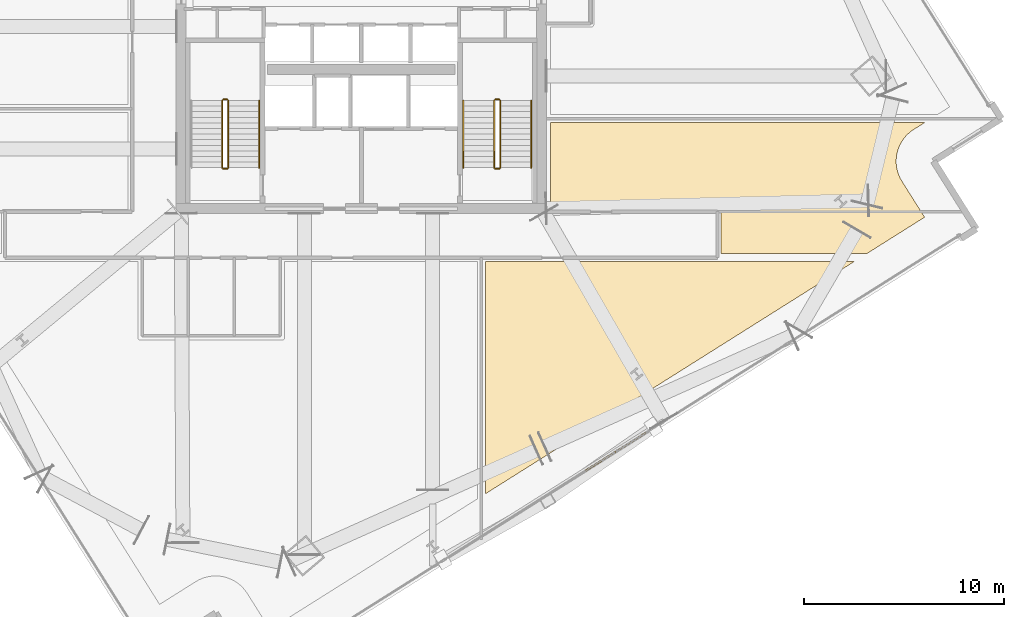
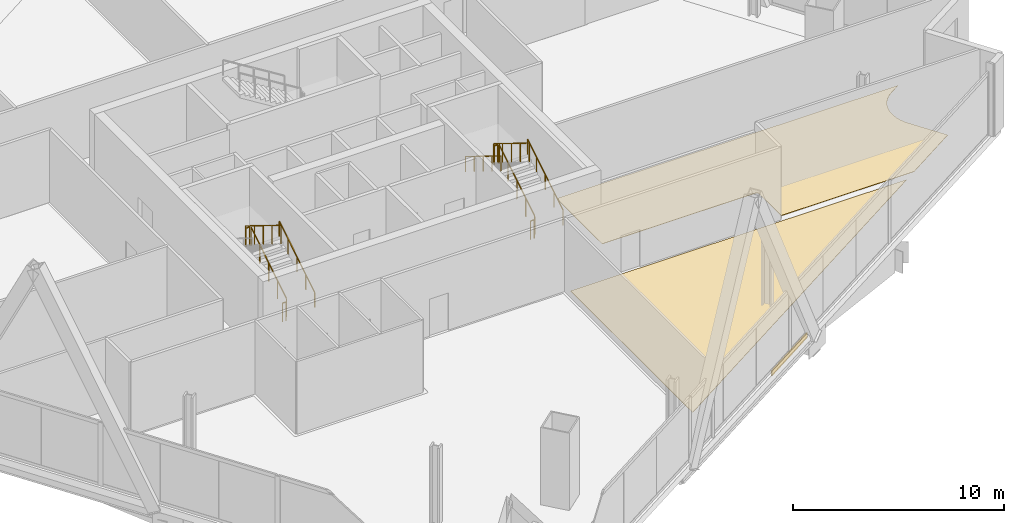
# One storey, part 26 of 29: 11 railings, 3 coverings.
"""IFC4 building model written with IfcOpenShell, lengths in metres."""

from ifc_helpers import new_model, si_unit, direction, frame, origin, origin_2d, place, context, subcontext, project, spatial, polyline, rectangle, outline, extrude, source, transform, mapped, material, layer, layer_set, type_object, element, save


model = new_model("IFC4")

# Units and contexts
model_context = context("Model", 3, precision=1e-05, world=origin(), true_north=direction((0.0, 1.0)))
body_context = subcontext(model_context, "Body", "Model", "MODEL_VIEW")
ifc_project = project(units=[si_unit("LENGTHUNIT", "METRE"), si_unit("AREAUNIT", "SQUARE_METRE"), si_unit("VOLUMEUNIT", "CUBIC_METRE"), si_unit("PLANEANGLEUNIT", "RADIAN"), si_unit("MASSUNIT", "GRAM", prefix="KILO")], contexts=[model_context])

# Site, building, storey
site_placement = place(None, origin())
site = spatial("IfcSite", under=ifc_project, at=site_placement, CompositionType="ELEMENT")
building_placement = place(site_placement, origin())
building = spatial("IfcBuilding", under=site, at=building_placement, Name="Haldenkirk Collegiate Tower", CompositionType="ELEMENT")
storey_placement = place(building_placement, frame((0.0, 0.0, 136.199951171875)))
storey = spatial("IfcBuildingStorey", under=building, at=storey_placement, Name="L33", CompositionType="ELEMENT", Elevation=136.199951171875)

# Coverings
ifc_material_1 = material(Name="Polished collegiate terrazzo", Category="concrete")
ifc_layer_1 = layer(ifc_material_1, 0.02490234375)
ifc_layer_set_1 = layer_set([ifc_layer_1], Name="Polished collegiate terrazzo")
covering_type_1 = type_object("IfcCoveringType", Name="COV-FLOOR-TERRAZZO", PredefinedType="FLOORING", material=ifc_layer_set_1)
covering_1_placement = place(storey_placement, origin())
element("IfcCovering", 1, at=covering_1_placement, inside=storey, type_object=covering_type_1, Name="L33 academic room finish 02", PredefinedType="FLOORING", context=body_context, shape_type="SweptSolid", body=[
    extrude(outline(polyline([(42.199951171875, 3.751953125), (42.199951171875, 15.35009765625), (60.617431640625, 15.35009765625), (42.199951171875, 3.751953125)])), origin(), (0.0, 0.0, 1.0), 0.025146484375),
])
ifc_material_2 = material(Name="Engineered collegiate oak acoustic flooring", Category="wood")
ifc_layer_2 = layer(ifc_material_2, 0.02197265625)
ifc_layer_set_2 = layer_set([ifc_layer_2], Name="Engineered collegiate oak acoustic flooring")
covering_type_2 = type_object("IfcCoveringType", Name="COV-FLOOR-TIMBER", PredefinedType="FLOORING", material=ifc_layer_set_2)
covering_2_placement = place(storey_placement, origin())
element("IfcCovering", 2, at=covering_2_placement, inside=storey, type_object=covering_type_2, Name="L33 academic room finish 09", PredefinedType="FLOORING", context=body_context, shape_type="SweptSolid", body=[
    extrude(outline(polyline([(63.600341796875, 21.955322265625), (63.595458984375, 21.9521484375), (63.454833984375, 21.853759765625), (63.445556640625, 21.846435546875), (63.315185546875, 21.734619140625), (63.306640625, 21.7265625), (63.18798828125, 21.602294921875), (63.18017578125, 21.593505859375), (63.07421875, 21.45849609375), (63.0673828125, 21.448974609375), (62.97509765625, 21.303955078125), (62.96923828125, 21.293701171875), (62.8916015625, 21.140380859375), (62.88671875, 21.1298828125), (62.82470703125, 20.9697265625), (62.82080078125, 20.95849609375), (62.774658203125, 20.793212890625), (62.772216796875, 20.781494140625), (62.7421875, 20.612548828125), (62.74072265625, 20.600830078125), (62.727783203125, 20.4296875), (62.727294921875, 20.417724609375), (62.731201171875, 20.24609375), (62.732177734375, 20.234375), (62.752685546875, 20.06396484375), (62.754638671875, 20.05224609375), (62.791748046875, 19.884521484375), (62.794921875, 19.873291015625), (62.848388671875, 19.7099609375), (62.852783203125, 19.69921875), (62.921875, 19.5419921875), (62.92724609375, 19.53125), (63.011474609375, 19.381591796875), (63.014404296875, 19.376708984375), (64.1494140625, 17.57421875), (61.252685546875, 15.75), (53.969970703125, 15.75), (53.969970703125, 17.85009765625), (53.969482421875, 17.86181640625), (53.9677734375, 17.873291015625), (53.96484375, 17.884765625), (53.9609375, 17.89599609375), (53.955810546875, 17.906494140625), (53.94970703125, 17.916748046875), (53.94287109375, 17.926025390625), (53.934814453125, 17.934814453125), (53.926025390625, 17.94287109375), (53.916748046875, 17.94970703125), (53.906494140625, 17.955810546875), (53.89599609375, 17.9609375), (53.884765625, 17.96484375), (53.873291015625, 17.9677734375), (53.86181640625, 17.969482421875), (53.85009765625, 17.969970703125), (45.449951171875, 17.969970703125), (45.449951171875, 22.300048828125), (64.1474609375, 22.300048828125), (63.600341796875, 21.955322265625)])), origin(), (0.0, 0.0, 1.0), 0.02197265625),
])

# Railings
ifc_material_3 = material(Name="Painted architectural tubular steel", Category="steel")
railing_type_1 = type_object("IfcRailingType", Name="RLG-STAIR-GUARD-1100", PredefinedType="BALUSTRADE", material=ifc_material_3)
railing_1_placement = place(storey_placement, frame((29.35009765625, 20.050048828125, 0.173095703125)))
element("IfcRailing", 3, at=railing_1_placement, inside=storey, type_object=railing_type_1, Name="L33 ST-1 stair guard 1", PredefinedType="BALUSTRADE", context=body_context, shape_type="SweptSolid", body=[
    extrude(rectangle(XDim=0.048095703125, YDim=0.048095703125, at=origin_2d()), frame((0.0, 0.0, 1.076171875), z_axis=(0.0, 0.850606129759, 0.525803396734), x_axis=(-1.0, 0.0, 0.0)), (0.0, 0.0, 1.0), 3.949951171875),
    extrude(rectangle(XDim=0.0419921875, YDim=0.0419921875, at=origin_2d()), origin(), (0.0, 0.0, 1.0), 1.052001953125),
    extrude(rectangle(XDim=0.0419921875, YDim=0.0419921875, at=origin_2d()), frame((0.0, 0.83984375, 0.519287109375)), (0.0, 0.0, 1.0), 1.052001953125),
    extrude(rectangle(XDim=0.0419921875, YDim=0.0419921875, at=origin_2d()), frame((0.0, 1.679931640625, 1.03857421875)), (0.0, 0.0, 1.0), 1.052001953125),
    extrude(rectangle(XDim=0.0419921875, YDim=0.0419921875, at=origin_2d()), frame((0.0, 2.52001953125, 1.5576171875)), (0.0, 0.0, 1.0), 1.052001953125),
    extrude(rectangle(XDim=0.0419921875, YDim=0.0419921875, at=origin_2d()), frame((0.0, 3.35986328125, 2.076904296875)), (0.0, 0.0, 1.0), 1.052001953125),
])
railing_2_placement = place(storey_placement, frame((29.300048828125, 23.4599609375, 2.25)))
element("IfcRailing", 4, at=railing_2_placement, inside=storey, type_object=railing_type_1, Name="L33 ST-1 stair guard 2", PredefinedType="BALUSTRADE", context=body_context, shape_type="SweptSolid", body=[
    extrude(rectangle(XDim=0.048095703125, YDim=0.048095703125, at=origin_2d()), frame((0.0, 0.0, 1.076171875), z_axis=(-1.0, 0.0, 0.0), x_axis=(0.0, -1.0, 0.0)), (0.0, 0.0, 1.0), 0.199951171875),
    extrude(rectangle(XDim=0.0419921875, YDim=0.0419921875, at=origin_2d()), origin(), (0.0, 0.0, 1.0), 1.052001953125),
    extrude(rectangle(XDim=0.0419921875, YDim=0.0419921875, at=origin_2d()), frame((-0.199951171875, 0.0, 0.0)), (0.0, 0.0, 1.0), 1.052001953125),
])
railing_3_placement = place(storey_placement, frame((29.050048828125, 23.409912109375, 2.423095703125)))
element("IfcRailing", 5, at=railing_3_placement, inside=storey, type_object=railing_type_1, Name="L33 ST-1 stair guard 3", PredefinedType="BALUSTRADE", context=body_context, shape_type="SweptSolid", body=[
    extrude(rectangle(XDim=0.048095703125, YDim=0.048095703125, at=origin_2d()), frame((0.0, 0.0, 1.076171875), z_axis=(0.0, -0.850606129759, 0.525803396734), x_axis=(1.0, 0.0, 0.0)), (0.0, 0.0, 1.0), 3.949951171875),
    extrude(rectangle(XDim=0.0419921875, YDim=0.0419921875, at=origin_2d()), origin(), (0.0, 0.0, 1.0), 1.052001953125),
    extrude(rectangle(XDim=0.0419921875, YDim=0.0419921875, at=origin_2d()), frame((0.0, -0.83984375, 0.519287109375)), (0.0, 0.0, 1.0), 1.052001953125),
    extrude(rectangle(XDim=0.0419921875, YDim=0.0419921875, at=origin_2d()), frame((0.0, -1.679931640625, 1.03857421875)), (0.0, 0.0, 1.0), 1.052001953125),
    extrude(rectangle(XDim=0.0419921875, YDim=0.0419921875, at=origin_2d()), frame((0.0, -2.52001953125, 1.5576171875)), (0.0, 0.0, 1.0), 1.052001953125),
    extrude(rectangle(XDim=0.0419921875, YDim=0.0419921875, at=origin_2d()), frame((0.0, -3.35986328125, 2.076904296875)), (0.0, 0.0, 1.0), 1.052001953125),
])
railing_4_placement = place(storey_placement, frame((29.300048828125, 20.0, 0.0)))
element("IfcRailing", 6, at=railing_4_placement, inside=storey, type_object=railing_type_1, Name="L33 ST-1 stair guard 4", PredefinedType="BALUSTRADE", context=body_context, shape_type="SweptSolid", body=[
    extrude(rectangle(XDim=0.048095703125, YDim=0.048095703125, at=origin_2d()), frame((0.0, 0.0, 1.076171875), z_axis=(-1.0, 0.0, 0.0), x_axis=(0.0, -1.0, 0.0)), (0.0, 0.0, 1.0), 0.199951171875),
    extrude(rectangle(XDim=0.0419921875, YDim=0.0419921875, at=origin_2d()), origin(), (0.0, 0.0, 1.0), 1.052001953125),
    extrude(rectangle(XDim=0.0419921875, YDim=0.0419921875, at=origin_2d()), frame((-0.199951171875, 0.0, 0.0)), (0.0, 0.0, 1.0), 1.052001953125),
])
railing_5_placement = place(storey_placement, frame((42.949951171875, 20.050048828125, 0.173095703125)))
element("IfcRailing", 7, at=railing_5_placement, inside=storey, type_object=railing_type_1, Name="L33 ST-2 stair guard 1", PredefinedType="BALUSTRADE", context=body_context, shape_type="SweptSolid", body=[
    extrude(rectangle(XDim=0.048095703125, YDim=0.048095703125, at=origin_2d()), frame((0.0, 0.0, 1.076171875), z_axis=(0.0, 0.850606129759, 0.525803396734), x_axis=(-1.0, 0.0, 0.0)), (0.0, 0.0, 1.0), 3.949951171875),
    extrude(rectangle(XDim=0.0419921875, YDim=0.0419921875, at=origin_2d()), origin(), (0.0, 0.0, 1.0), 1.052001953125),
    extrude(rectangle(XDim=0.0419921875, YDim=0.0419921875, at=origin_2d()), frame((0.0, 0.83984375, 0.519287109375)), (0.0, 0.0, 1.0), 1.052001953125),
    extrude(rectangle(XDim=0.0419921875, YDim=0.0419921875, at=origin_2d()), frame((0.0, 1.679931640625, 1.03857421875)), (0.0, 0.0, 1.0), 1.052001953125),
    extrude(rectangle(XDim=0.0419921875, YDim=0.0419921875, at=origin_2d()), frame((0.0, 2.52001953125, 1.5576171875)), (0.0, 0.0, 1.0), 1.052001953125),
    extrude(rectangle(XDim=0.0419921875, YDim=0.0419921875, at=origin_2d()), frame((0.0, 3.35986328125, 2.076904296875)), (0.0, 0.0, 1.0), 1.052001953125),
])
railing_6_placement = place(storey_placement, frame((42.89990234375, 23.4599609375, 2.25)))
element("IfcRailing", 8, at=railing_6_placement, inside=storey, type_object=railing_type_1, Name="L33 ST-2 stair guard 2", PredefinedType="BALUSTRADE", context=body_context, shape_type="SweptSolid", body=[
    extrude(rectangle(XDim=0.048095703125, YDim=0.048095703125, at=origin_2d()), frame((0.0, 0.0, 1.076171875), z_axis=(-1.0, 0.0, 0.0), x_axis=(0.0, -1.0, 0.0)), (0.0, 0.0, 1.0), 0.199951171875),
    extrude(rectangle(XDim=0.0419921875, YDim=0.0419921875, at=origin_2d()), origin(), (0.0, 0.0, 1.0), 1.052001953125),
    extrude(rectangle(XDim=0.0419921875, YDim=0.0419921875, at=origin_2d()), frame((-0.199951171875, 0.0, 0.0)), (0.0, 0.0, 1.0), 1.052001953125),
])
railing_7_placement = place(storey_placement, frame((42.64990234375, 23.409912109375, 2.423095703125)))
element("IfcRailing", 9, at=railing_7_placement, inside=storey, type_object=railing_type_1, Name="L33 ST-2 stair guard 3", PredefinedType="BALUSTRADE", context=body_context, shape_type="SweptSolid", body=[
    extrude(rectangle(XDim=0.048095703125, YDim=0.048095703125, at=origin_2d()), frame((0.0, 0.0, 1.076171875), z_axis=(0.0, -0.850606129759, 0.525803396734), x_axis=(1.0, 0.0, 0.0)), (0.0, 0.0, 1.0), 3.949951171875),
    extrude(rectangle(XDim=0.0419921875, YDim=0.0419921875, at=origin_2d()), origin(), (0.0, 0.0, 1.0), 1.052001953125),
    extrude(rectangle(XDim=0.0419921875, YDim=0.0419921875, at=origin_2d()), frame((0.0, -0.83984375, 0.519287109375)), (0.0, 0.0, 1.0), 1.052001953125),
    extrude(rectangle(XDim=0.0419921875, YDim=0.0419921875, at=origin_2d()), frame((0.0, -1.679931640625, 1.03857421875)), (0.0, 0.0, 1.0), 1.052001953125),
    extrude(rectangle(XDim=0.0419921875, YDim=0.0419921875, at=origin_2d()), frame((0.0, -2.52001953125, 1.5576171875)), (0.0, 0.0, 1.0), 1.052001953125),
    extrude(rectangle(XDim=0.0419921875, YDim=0.0419921875, at=origin_2d()), frame((0.0, -3.35986328125, 2.076904296875)), (0.0, 0.0, 1.0), 1.052001953125),
])
railing_8_placement = place(storey_placement, frame((42.89990234375, 20.0, 0.0)))
element("IfcRailing", 10, at=railing_8_placement, inside=storey, type_object=railing_type_1, Name="L33 ST-2 stair guard 4", PredefinedType="BALUSTRADE", context=body_context, shape_type="SweptSolid", body=[
    extrude(rectangle(XDim=0.048095703125, YDim=0.048095703125, at=origin_2d()), frame((0.0, 0.0, 1.076171875), z_axis=(-1.0, 0.0, 0.0), x_axis=(0.0, -1.0, 0.0)), (0.0, 0.0, 1.0), 0.199951171875),
    extrude(rectangle(XDim=0.0419921875, YDim=0.0419921875, at=origin_2d()), origin(), (0.0, 0.0, 1.0), 1.052001953125),
    extrude(rectangle(XDim=0.0419921875, YDim=0.0419921875, at=origin_2d()), frame((-0.199951171875, 0.0, 0.0)), (0.0, 0.0, 1.0), 1.052001953125),
])
railing_type_2 = type_object("IfcRailingType", Name="RLG-STAIR-HANDRAIL-900", PredefinedType="HANDRAIL", material=ifc_material_3)
for number, where, name in (
    (11, (30.89990234375, 20.050048828125, 0.173095703125), "L33 ST-1 stair handrail 1"),
    (12, (44.5, 20.050048828125, 0.173095703125), "L33 ST-2 stair handrail 1"),
):
    element("IfcRailing", number, at=place(storey_placement, frame(where)), inside=storey, type_object=railing_type_2, Name=name, PredefinedType="HANDRAIL", context=body_context, shape_type="SweptSolid", body=[
        extrude(rectangle(XDim=0.048095703125, YDim=0.048095703125, at=origin_2d()), frame((0.0, 0.0, 0.8759765625), z_axis=(0.0, 0.850606129759, 0.525803396734), x_axis=(-1.0, 0.0, 0.0)), (0.0, 0.0, 1.0), 3.949951171875),
        extrude(rectangle(XDim=0.0419921875, YDim=0.0419921875, at=origin_2d()), origin(), (0.0, 0.0, 1.0), 0.851806640625),
        extrude(rectangle(XDim=0.0419921875, YDim=0.0419921875, at=origin_2d()), frame((0.0, 0.83984375, 0.519287109375)), (0.0, 0.0, 1.0), 0.851806640625),
        extrude(rectangle(XDim=0.0419921875, YDim=0.0419921875, at=origin_2d()), frame((0.0, 1.679931640625, 1.03857421875)), (0.0, 0.0, 1.0), 0.851806640625),
        extrude(rectangle(XDim=0.0419921875, YDim=0.0419921875, at=origin_2d()), frame((0.0, 2.52001953125, 1.5576171875)), (0.0, 0.0, 1.0), 0.851806640625),
        extrude(rectangle(XDim=0.0419921875, YDim=0.0419921875, at=origin_2d()), frame((0.0, 3.35986328125, 2.076904296875)), (0.0, 0.0, 1.0), 0.851806640625),
    ])
railing_9_placement = place(storey_placement, frame((41.10009765625, 23.409912109375, 2.423095703125)))
element("IfcRailing", 13, at=railing_9_placement, inside=storey, type_object=railing_type_2, Name="L33 ST-2 stair handrail 2", PredefinedType="HANDRAIL", context=body_context, shape_type="SweptSolid", body=[
    extrude(rectangle(XDim=0.048095703125, YDim=0.048095703125, at=origin_2d()), frame((0.0, 0.0, 0.8759765625), z_axis=(0.0, -0.850606129759, 0.525803396734), x_axis=(1.0, 0.0, 0.0)), (0.0, 0.0, 1.0), 3.949951171875),
    extrude(rectangle(XDim=0.0419921875, YDim=0.0419921875, at=origin_2d()), origin(), (0.0, 0.0, 1.0), 0.851806640625),
    extrude(rectangle(XDim=0.0419921875, YDim=0.0419921875, at=origin_2d()), frame((0.0, -0.83984375, 0.519287109375)), (0.0, 0.0, 1.0), 0.851806640625),
    extrude(rectangle(XDim=0.0419921875, YDim=0.0419921875, at=origin_2d()), frame((0.0, -1.679931640625, 1.03857421875)), (0.0, 0.0, 1.0), 0.851806640625),
    extrude(rectangle(XDim=0.0419921875, YDim=0.0419921875, at=origin_2d()), frame((0.0, -2.52001953125, 1.5576171875)), (0.0, 0.0, 1.0), 0.851806640625),
    extrude(rectangle(XDim=0.0419921875, YDim=0.0419921875, at=origin_2d()), frame((0.0, -3.35986328125, 2.076904296875)), (0.0, 0.0, 1.0), 0.851806640625),
])

# Covering
ifc_material_4 = material(Name="Anodised architectural bronze aluminium", Category="aluminium")
ifc_layer_3 = layer(ifc_material_4, 0.06005859375)
ifc_layer_set_3 = layer_set([ifc_layer_3], Name="Anodised architectural bronze aluminium")
covering_type_3 = type_object("IfcCoveringType", Name="COV-CLAD-BRONZE-60", PredefinedType="CLADDING", material=ifc_layer_set_3)
shared_shape = source(origin(), body_context, "Body", "SweptSolid", [
    extrude(rectangle(XDim=3.60009765625, YDim=0.06005859375, at=origin_2d()), origin(), (0.0, 0.0, 1.0), 0.300048828125),
])
covering_3_placement = place(storey_placement, frame((48.693115234375, 5.84375, -0.2998046875), z_axis=(0.0, 0.0, 1.0), x_axis=(-0.846193166128, -0.532876276071, 0.0)))
element("IfcCovering", 14, at=covering_3_placement, inside=storey, type_object=covering_type_3, Name="L33 architectural bronze spandrel cladding S", PredefinedType="CLADDING", context=body_context, shape_type="MappedRepresentation", body=[
    mapped(shared_shape, transform((0.0, 0.0, 0.0), x_axis=(1.0, 0.0, 0.0), y_axis=(0.0, 1.0, 0.0), z_axis=(0.0, 0.0, 1.0), scale=1.0)),
])

save(model, "model.ifc")
